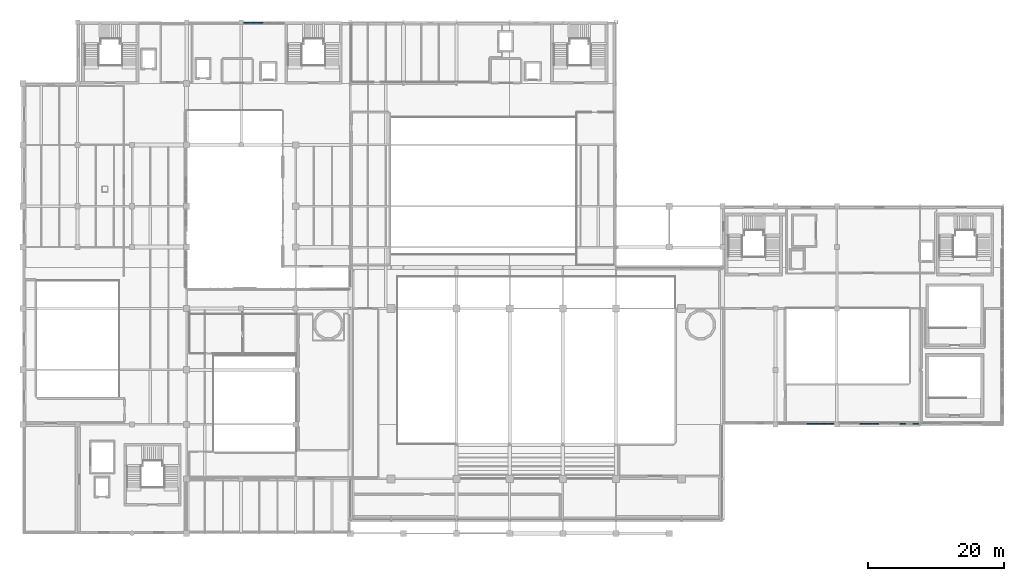
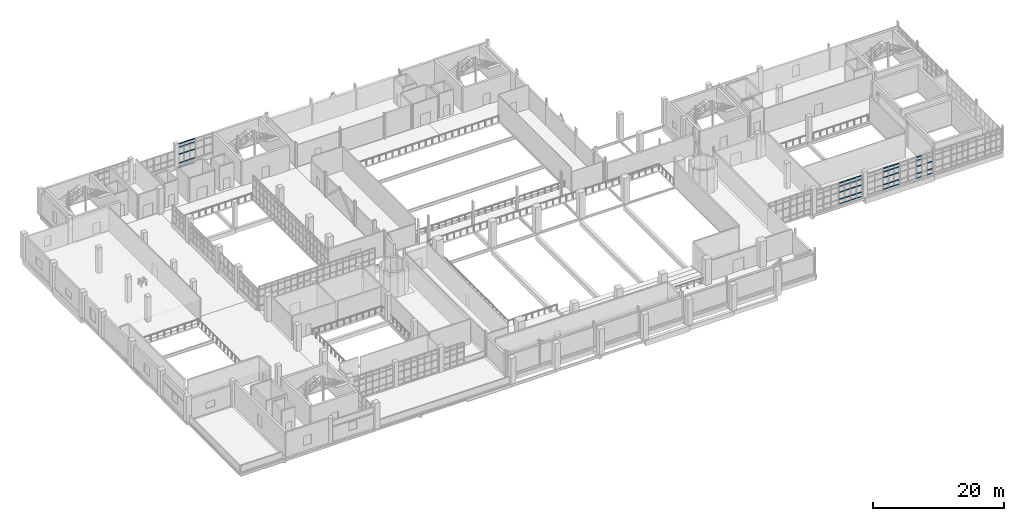
# One storey, part 63 of 102: 58 members, 4 elements without a shape of their own.
"""IFC4 building model written with IfcOpenShell, lengths in metres."""

from ifc_helpers import new_model, si_unit, derived_unit, direction, frame, origin, origin_2d, place, context, subcontext, project, spatial, hollow_rectangle, extrude, material, layer, layer_set, material_profile, profile_set, type_object, element, aggregate, save


model = new_model("IFC4")

# Units and contexts
model_context = context("Model", 3, precision=1e-05, world=origin(), true_north=direction((0.0, 1.0)))
body_context = subcontext(model_context, "Body", "Model", "MODEL_VIEW")
ifc_project = project(units=[si_unit("LENGTHUNIT", "METRE"), si_unit("AREAUNIT", "SQUARE_METRE"), si_unit("VOLUMEUNIT", "CUBIC_METRE"), si_unit("PLANEANGLEUNIT", "RADIAN"), si_unit("MASSUNIT", "GRAM", prefix="KILO"), derived_unit("THERMALTRANSMITTANCEUNIT", [(si_unit("POWERUNIT", "WATT"), 1), (si_unit("LENGTHUNIT", "METRE"), -2), (si_unit("THERMODYNAMICTEMPERATUREUNIT", "KELVIN"), -1)])], contexts=[model_context])

# Site, building, storey
site_placement = place(None, origin())
site = spatial("IfcSite", under=ifc_project, at=site_placement, CompositionType="ELEMENT")
building_placement = place(site_placement, origin())
building = spatial("IfcBuilding", under=site, at=building_placement, Name="Nallur Shell Playhouse", CompositionType="ELEMENT")
storey_placement = place(building_placement, frame((0.0, 0.0, 15.0)))
storey = spatial("IfcBuildingStorey", under=building, at=storey_placement, Name="L04", CompositionType="ELEMENT", Elevation=15.0)

# Curtain wall, members
ifc_material_1 = material(Name="Anodised Aluminium Double-Glazed Facade System", Category="aluminium")
ifc_layer_1 = layer(ifc_material_1, 0.159912109375)
ifc_layer_set_1 = layer_set([ifc_layer_1], Name="Anodised Aluminium Double-Glazed Facade System")
curtain_wall_type_1 = type_object("IfcCurtainWallType", Name="CW-UNIT-12", PredefinedType="NOTDEFINED", material=ifc_layer_set_1)
curtain_wall_1_placement = place(storey_placement, origin())
curtain_wall_1 = element("IfcCurtainWall", 1, at=curtain_wall_1_placement, inside=storey, type_object=curtain_wall_type_1, Name="Unitised curtain wall CW-108 (L04)", PredefinedType="NOTDEFINED")
ifc_material_2 = material(Name="Aluminium Alloy 6063-T6 Transom", Category="aluminium")
ifc_material_profile = material_profile(ifc_material_2, hollow_rectangle(XDim=0.10009765625, YDim=0.199951171875, WallThickness=0.008056640625, at=origin_2d()), Name="RHS 200x100x8")
ifc_profile_set = profile_set([ifc_material_profile], Name="Aluminium Alloy 6063-T6 Transom")
member_type = type_object("IfcMemberType", Name="MB-CW-TRN140", PredefinedType="USERDEFINED", material=ifc_profile_set)
member_1_placement = place(storey_placement, frame((48.39990234375, 82.909912109375, 0.050048828125), z_axis=(1.0, 0.0, 0.0), x_axis=(0.0, 1.0, 0.0)))
member_1 = element("IfcMember", 2, at=member_1_placement, type_object=member_type, Name="CW-12 transom 1.1", ObjectType="TRANSOM", PredefinedType="USERDEFINED", context=body_context, shape_type="SweptSolid", body=[
    extrude(hollow_rectangle(XDim=0.10009765625, YDim=0.199951171875, WallThickness=0.008056640625, at=origin_2d()), origin(), (0.0, 0.0, 1.0), 0.90478515625),
])
member_2_placement = place(storey_placement, frame((48.39990234375, 82.909912109375, 0.89990234375), z_axis=(1.0, 0.0, 0.0), x_axis=(0.0, 1.0, 0.0)))
member_2 = element("IfcMember", 3, at=member_2_placement, type_object=member_type, Name="CW-12 transom 1.2", ObjectType="TRANSOM", PredefinedType="USERDEFINED", context=body_context, shape_type="SweptSolid", body=[
    extrude(hollow_rectangle(XDim=0.10009765625, YDim=0.199951171875, WallThickness=0.008056640625, at=origin_2d()), origin(), (0.0, 0.0, 1.0), 0.90478515625),
])
member_3_placement = place(storey_placement, frame((48.39990234375, 82.909912109375, 2.548095703125), z_axis=(1.0, 0.0, 0.0), x_axis=(0.0, 1.0, 0.0)))
member_3 = element("IfcMember", 4, at=member_3_placement, type_object=member_type, Name="CW-12 transom 1.3", ObjectType="TRANSOM", PredefinedType="USERDEFINED", context=body_context, shape_type="SweptSolid", body=[
    extrude(hollow_rectangle(XDim=0.10009765625, YDim=0.199951171875, WallThickness=0.008056640625, at=origin_2d()), origin(), (0.0, 0.0, 1.0), 0.90478515625),
])
member_4_placement = place(storey_placement, frame((48.39990234375, 82.909912109375, 3.8701171875), z_axis=(1.0, 0.0, 0.0), x_axis=(0.0, 1.0, 0.0)))
member_4 = element("IfcMember", 5, at=member_4_placement, type_object=member_type, Name="CW-12 transom 1.4", ObjectType="TRANSOM", PredefinedType="USERDEFINED", context=body_context, shape_type="SweptSolid", body=[
    extrude(hollow_rectangle(XDim=0.10009765625, YDim=0.199951171875, WallThickness=0.008056640625, at=origin_2d()), origin(), (0.0, 0.0, 1.0), 0.90478515625),
])
member_5_placement = place(storey_placement, frame((48.39990234375, 82.909912109375, 4.5), z_axis=(1.0, 0.0, 0.0), x_axis=(0.0, 1.0, 0.0)))
member_5 = element("IfcMember", 6, at=member_5_placement, type_object=member_type, Name="CW-12 transom 1.5", ObjectType="TRANSOM", PredefinedType="USERDEFINED", context=body_context, shape_type="SweptSolid", body=[
    extrude(hollow_rectangle(XDim=0.10009765625, YDim=0.199951171875, WallThickness=0.008056640625, at=origin_2d()), origin(), (0.0, 0.0, 1.0), 0.90478515625),
])
member_6_placement = place(storey_placement, frame((49.36376953125, 82.909912109375, 0.050048828125), z_axis=(1.0, 0.0, 0.0), x_axis=(0.0, 1.0, 0.0)))
member_6 = element("IfcMember", 7, at=member_6_placement, type_object=member_type, Name="CW-12 transom 2.1", ObjectType="TRANSOM", PredefinedType="USERDEFINED", context=body_context, shape_type="SweptSolid", body=[
    extrude(hollow_rectangle(XDim=0.10009765625, YDim=0.199951171875, WallThickness=0.008056640625, at=origin_2d()), origin(), (0.0, 0.0, 1.0), 0.942138671875),
])
member_7_placement = place(storey_placement, frame((49.36376953125, 82.909912109375, 0.89990234375), z_axis=(1.0, 0.0, 0.0), x_axis=(0.0, 1.0, 0.0)))
member_7 = element("IfcMember", 8, at=member_7_placement, type_object=member_type, Name="CW-12 transom 2.2", ObjectType="TRANSOM", PredefinedType="USERDEFINED", context=body_context, shape_type="SweptSolid", body=[
    extrude(hollow_rectangle(XDim=0.10009765625, YDim=0.199951171875, WallThickness=0.008056640625, at=origin_2d()), origin(), (0.0, 0.0, 1.0), 0.942138671875),
])
member_8_placement = place(storey_placement, frame((49.36376953125, 82.909912109375, 2.548095703125), z_axis=(1.0, 0.0, 0.0), x_axis=(0.0, 1.0, 0.0)))
member_8 = element("IfcMember", 9, at=member_8_placement, type_object=member_type, Name="CW-12 transom 2.3", ObjectType="TRANSOM", PredefinedType="USERDEFINED", context=body_context, shape_type="SweptSolid", body=[
    extrude(hollow_rectangle(XDim=0.10009765625, YDim=0.199951171875, WallThickness=0.008056640625, at=origin_2d()), origin(), (0.0, 0.0, 1.0), 0.942138671875),
])
member_9_placement = place(storey_placement, frame((49.36376953125, 82.909912109375, 3.8701171875), z_axis=(1.0, 0.0, 0.0), x_axis=(0.0, 1.0, 0.0)))
member_9 = element("IfcMember", 10, at=member_9_placement, type_object=member_type, Name="CW-12 transom 2.4", ObjectType="TRANSOM", PredefinedType="USERDEFINED", context=body_context, shape_type="SweptSolid", body=[
    extrude(hollow_rectangle(XDim=0.10009765625, YDim=0.199951171875, WallThickness=0.008056640625, at=origin_2d()), origin(), (0.0, 0.0, 1.0), 0.942138671875),
])
member_10_placement = place(storey_placement, frame((49.36376953125, 82.909912109375, 4.5), z_axis=(1.0, 0.0, 0.0), x_axis=(0.0, 1.0, 0.0)))
member_10 = element("IfcMember", 11, at=member_10_placement, type_object=member_type, Name="CW-12 transom 2.5", ObjectType="TRANSOM", PredefinedType="USERDEFINED", context=body_context, shape_type="SweptSolid", body=[
    extrude(hollow_rectangle(XDim=0.10009765625, YDim=0.199951171875, WallThickness=0.008056640625, at=origin_2d()), origin(), (0.0, 0.0, 1.0), 0.942138671875),
])
member_11_placement = place(storey_placement, frame((50.36474609375, 82.909912109375, 0.050048828125), z_axis=(1.0, 0.0, 0.0), x_axis=(0.0, 1.0, 0.0)))
member_11 = element("IfcMember", 12, at=member_11_placement, type_object=member_type, Name="CW-12 transom 3.1", ObjectType="TRANSOM", PredefinedType="USERDEFINED", context=body_context, shape_type="SweptSolid", body=[
    extrude(hollow_rectangle(XDim=0.10009765625, YDim=0.199951171875, WallThickness=0.008056640625, at=origin_2d()), origin(), (0.0, 0.0, 1.0), 0.90478515625),
])
member_12_placement = place(storey_placement, frame((50.36474609375, 82.909912109375, 0.89990234375), z_axis=(1.0, 0.0, 0.0), x_axis=(0.0, 1.0, 0.0)))
member_12 = element("IfcMember", 13, at=member_12_placement, type_object=member_type, Name="CW-12 transom 3.2", ObjectType="TRANSOM", PredefinedType="USERDEFINED", context=body_context, shape_type="SweptSolid", body=[
    extrude(hollow_rectangle(XDim=0.10009765625, YDim=0.199951171875, WallThickness=0.008056640625, at=origin_2d()), origin(), (0.0, 0.0, 1.0), 0.90478515625),
])
member_13_placement = place(storey_placement, frame((50.36474609375, 82.909912109375, 2.548095703125), z_axis=(1.0, 0.0, 0.0), x_axis=(0.0, 1.0, 0.0)))
member_13 = element("IfcMember", 14, at=member_13_placement, type_object=member_type, Name="CW-12 transom 3.3", ObjectType="TRANSOM", PredefinedType="USERDEFINED", context=body_context, shape_type="SweptSolid", body=[
    extrude(hollow_rectangle(XDim=0.10009765625, YDim=0.199951171875, WallThickness=0.008056640625, at=origin_2d()), origin(), (0.0, 0.0, 1.0), 0.90478515625),
])
member_14_placement = place(storey_placement, frame((50.36474609375, 82.909912109375, 3.8701171875), z_axis=(1.0, 0.0, 0.0), x_axis=(0.0, 1.0, 0.0)))
member_14 = element("IfcMember", 15, at=member_14_placement, type_object=member_type, Name="CW-12 transom 3.4", ObjectType="TRANSOM", PredefinedType="USERDEFINED", context=body_context, shape_type="SweptSolid", body=[
    extrude(hollow_rectangle(XDim=0.10009765625, YDim=0.199951171875, WallThickness=0.008056640625, at=origin_2d()), origin(), (0.0, 0.0, 1.0), 0.90478515625),
])
member_15_placement = place(storey_placement, frame((50.36474609375, 82.909912109375, 4.5), z_axis=(1.0, 0.0, 0.0), x_axis=(0.0, 1.0, 0.0)))
member_15 = element("IfcMember", 16, at=member_15_placement, type_object=member_type, Name="CW-12 transom 3.5", ObjectType="TRANSOM", PredefinedType="USERDEFINED", context=body_context, shape_type="SweptSolid", body=[
    extrude(hollow_rectangle(XDim=0.10009765625, YDim=0.199951171875, WallThickness=0.008056640625, at=origin_2d()), origin(), (0.0, 0.0, 1.0), 0.90478515625),
])
aggregate(curtain_wall_1, [member_1, member_2, member_3, member_4, member_5, member_6, member_7, member_8, member_9, member_10, member_11, member_12, member_13, member_14, member_15])

ifc_layer_2 = layer(ifc_material_1, 0.176025390625)
ifc_layer_set_2 = layer_set([ifc_layer_2], Name="Anodised Aluminium Double-Glazed Facade System")
curtain_wall_type_2 = type_object("IfcCurtainWallType", Name="CW-UNIT-28", PredefinedType="NOTDEFINED", material=ifc_layer_set_2)
curtain_wall_2_placement = place(storey_placement, origin())
curtain_wall_2 = element("IfcCurtainWall", 17, at=curtain_wall_2_placement, inside=storey, type_object=curtain_wall_type_2, Name="Unitised curtain wall CW-124 (L04)", PredefinedType="NOTDEFINED")
member_16_placement = place(storey_placement, frame((147.409912109375, 24.090087890625, 0.050048828125), z_axis=(-1.0, 0.0, 0.0), x_axis=(0.0, -1.0, 0.0)))
member_16 = element("IfcMember", 18, at=member_16_placement, type_object=member_type, Name="CW-28 transom 1.1", ObjectType="TRANSOM", PredefinedType="USERDEFINED", context=body_context, shape_type="SweptSolid", body=[
    extrude(hollow_rectangle(XDim=0.10009765625, YDim=0.199951171875, WallThickness=0.008056640625, at=origin_2d()), origin(), (0.0, 0.0, 1.0), 0.890380859375),
])
member_17_placement = place(storey_placement, frame((147.409912109375, 24.090087890625, 0.89990234375), z_axis=(-1.0, 0.0, 0.0), x_axis=(0.0, -1.0, 0.0)))
member_17 = element("IfcMember", 19, at=member_17_placement, type_object=member_type, Name="CW-28 transom 1.2", ObjectType="TRANSOM", PredefinedType="USERDEFINED", context=body_context, shape_type="SweptSolid", body=[
    extrude(hollow_rectangle(XDim=0.10009765625, YDim=0.199951171875, WallThickness=0.008056640625, at=origin_2d()), origin(), (0.0, 0.0, 1.0), 0.890380859375),
])
member_18_placement = place(storey_placement, frame((147.409912109375, 24.090087890625, 2.25390625), z_axis=(-1.0, 0.0, 0.0), x_axis=(0.0, -1.0, 0.0)))
member_18 = element("IfcMember", 20, at=member_18_placement, type_object=member_type, Name="CW-28 transom 1.3", ObjectType="TRANSOM", PredefinedType="USERDEFINED", context=body_context, shape_type="SweptSolid", body=[
    extrude(hollow_rectangle(XDim=0.10009765625, YDim=0.199951171875, WallThickness=0.008056640625, at=origin_2d()), origin(), (0.0, 0.0, 1.0), 0.890380859375),
])
member_19_placement = place(storey_placement, frame((145.49853515625, 24.090087890625, 0.050048828125), z_axis=(-1.0, 0.0, 0.0), x_axis=(0.0, -1.0, 0.0)))
member_19 = element("IfcMember", 21, at=member_19_placement, type_object=member_type, Name="CW-28 transom 3.1", ObjectType="TRANSOM", PredefinedType="USERDEFINED", context=body_context, shape_type="SweptSolid", body=[
    extrude(hollow_rectangle(XDim=0.10009765625, YDim=0.199951171875, WallThickness=0.008056640625, at=origin_2d()), origin(), (0.0, 0.0, 1.0), 0.890625),
])
member_20_placement = place(storey_placement, frame((145.49853515625, 24.090087890625, 0.89990234375), z_axis=(-1.0, 0.0, 0.0), x_axis=(0.0, -1.0, 0.0)))
member_20 = element("IfcMember", 22, at=member_20_placement, type_object=member_type, Name="CW-28 transom 3.2", ObjectType="TRANSOM", PredefinedType="USERDEFINED", context=body_context, shape_type="SweptSolid", body=[
    extrude(hollow_rectangle(XDim=0.10009765625, YDim=0.199951171875, WallThickness=0.008056640625, at=origin_2d()), origin(), (0.0, 0.0, 1.0), 0.890625),
])
member_21_placement = place(storey_placement, frame((145.49853515625, 24.090087890625, 2.25390625), z_axis=(-1.0, 0.0, 0.0), x_axis=(0.0, -1.0, 0.0)))
member_21 = element("IfcMember", 23, at=member_21_placement, type_object=member_type, Name="CW-28 transom 3.3", ObjectType="TRANSOM", PredefinedType="USERDEFINED", context=body_context, shape_type="SweptSolid", body=[
    extrude(hollow_rectangle(XDim=0.10009765625, YDim=0.199951171875, WallThickness=0.008056640625, at=origin_2d()), origin(), (0.0, 0.0, 1.0), 0.890625),
])
member_22_placement = place(storey_placement, frame((145.49853515625, 24.090087890625, 3.344970703125), z_axis=(-1.0, 0.0, 0.0), x_axis=(0.0, -1.0, 0.0)))
member_22 = element("IfcMember", 24, at=member_22_placement, type_object=member_type, Name="CW-28 transom 3.4", ObjectType="TRANSOM", PredefinedType="USERDEFINED", context=body_context, shape_type="SweptSolid", body=[
    extrude(hollow_rectangle(XDim=0.10009765625, YDim=0.199951171875, WallThickness=0.008056640625, at=origin_2d()), origin(), (0.0, 0.0, 1.0), 0.890625),
])
member_23_placement = place(storey_placement, frame((145.49853515625, 24.090087890625, 3.97509765625), z_axis=(-1.0, 0.0, 0.0), x_axis=(0.0, -1.0, 0.0)))
member_23 = element("IfcMember", 25, at=member_23_placement, type_object=member_type, Name="CW-28 transom 3.5", ObjectType="TRANSOM", PredefinedType="USERDEFINED", context=body_context, shape_type="SweptSolid", body=[
    extrude(hollow_rectangle(XDim=0.10009765625, YDim=0.199951171875, WallThickness=0.008056640625, at=origin_2d()), origin(), (0.0, 0.0, 1.0), 0.890625),
])
aggregate(curtain_wall_2, [member_16, member_17, member_18, member_19, member_20, member_21, member_22, member_23])

ifc_layer_3 = layer(ifc_material_1, 0.159912109375)
ifc_layer_set_3 = layer_set([ifc_layer_3], Name="Anodised Aluminium Double-Glazed Facade System")
curtain_wall_type_3 = type_object("IfcCurtainWallType", Name="CW-UNIT-30", PredefinedType="NOTDEFINED", material=ifc_layer_set_3)
curtain_wall_3_placement = place(storey_placement, origin())
curtain_wall_3 = element("IfcCurtainWall", 26, at=curtain_wall_3_placement, inside=storey, type_object=curtain_wall_type_3, Name="Unitised curtain wall CW-126 (L04)", PredefinedType="NOTDEFINED")
member_24_placement = place(storey_placement, frame((141.552978515625, 24.090087890625, 0.050048828125), z_axis=(-1.0, 0.0, 0.0), x_axis=(0.0, -1.0, 0.0)))
member_24 = element("IfcMember", 27, at=member_24_placement, type_object=member_type, Name="CW-30 transom 1.1", ObjectType="TRANSOM", PredefinedType="USERDEFINED", context=body_context, shape_type="SweptSolid", body=[
    extrude(hollow_rectangle(XDim=0.10009765625, YDim=0.199951171875, WallThickness=0.008056640625, at=origin_2d()), origin(), (0.0, 0.0, 1.0), 0.873779296875),
])
member_25_placement = place(storey_placement, frame((141.552978515625, 24.090087890625, 0.89990234375), z_axis=(-1.0, 0.0, 0.0), x_axis=(0.0, -1.0, 0.0)))
member_25 = element("IfcMember", 28, at=member_25_placement, type_object=member_type, Name="CW-30 transom 1.2", ObjectType="TRANSOM", PredefinedType="USERDEFINED", context=body_context, shape_type="SweptSolid", body=[
    extrude(hollow_rectangle(XDim=0.10009765625, YDim=0.199951171875, WallThickness=0.008056640625, at=origin_2d()), origin(), (0.0, 0.0, 1.0), 0.873779296875),
])
member_26_placement = place(storey_placement, frame((141.552978515625, 24.090087890625, 2.23193359375), z_axis=(-1.0, 0.0, 0.0), x_axis=(0.0, -1.0, 0.0)))
member_26 = element("IfcMember", 29, at=member_26_placement, type_object=member_type, Name="CW-30 transom 1.3", ObjectType="TRANSOM", PredefinedType="USERDEFINED", context=body_context, shape_type="SweptSolid", body=[
    extrude(hollow_rectangle(XDim=0.10009765625, YDim=0.199951171875, WallThickness=0.008056640625, at=origin_2d()), origin(), (0.0, 0.0, 1.0), 0.873779296875),
])
member_27_placement = place(storey_placement, frame((141.552978515625, 24.090087890625, 3.304931640625), z_axis=(-1.0, 0.0, 0.0), x_axis=(0.0, -1.0, 0.0)))
member_27 = element("IfcMember", 30, at=member_27_placement, type_object=member_type, Name="CW-30 transom 1.4", ObjectType="TRANSOM", PredefinedType="USERDEFINED", context=body_context, shape_type="SweptSolid", body=[
    extrude(hollow_rectangle(XDim=0.10009765625, YDim=0.199951171875, WallThickness=0.008056640625, at=origin_2d()), origin(), (0.0, 0.0, 1.0), 0.873779296875),
])
member_28_placement = place(storey_placement, frame((141.552978515625, 24.090087890625, 3.93505859375), z_axis=(-1.0, 0.0, 0.0), x_axis=(0.0, -1.0, 0.0)))
member_28 = element("IfcMember", 31, at=member_28_placement, type_object=member_type, Name="CW-30 transom 1.5", ObjectType="TRANSOM", PredefinedType="USERDEFINED", context=body_context, shape_type="SweptSolid", body=[
    extrude(hollow_rectangle(XDim=0.10009765625, YDim=0.199951171875, WallThickness=0.008056640625, at=origin_2d()), origin(), (0.0, 0.0, 1.0), 0.873779296875),
])
member_29_placement = place(storey_placement, frame((140.6201171875, 24.090087890625, 0.050048828125), z_axis=(-1.0, 0.0, 0.0), x_axis=(0.0, -1.0, 0.0)))
member_29 = element("IfcMember", 32, at=member_29_placement, type_object=member_type, Name="CW-30 transom 2.1", ObjectType="TRANSOM", PredefinedType="USERDEFINED", context=body_context, shape_type="SweptSolid", body=[
    extrude(hollow_rectangle(XDim=0.10009765625, YDim=0.199951171875, WallThickness=0.008056640625, at=origin_2d()), origin(), (0.0, 0.0, 1.0), 0.911376953125),
])
member_30_placement = place(storey_placement, frame((140.6201171875, 24.090087890625, 0.89990234375), z_axis=(-1.0, 0.0, 0.0), x_axis=(0.0, -1.0, 0.0)))
member_30 = element("IfcMember", 33, at=member_30_placement, type_object=member_type, Name="CW-30 transom 2.2", ObjectType="TRANSOM", PredefinedType="USERDEFINED", context=body_context, shape_type="SweptSolid", body=[
    extrude(hollow_rectangle(XDim=0.10009765625, YDim=0.199951171875, WallThickness=0.008056640625, at=origin_2d()), origin(), (0.0, 0.0, 1.0), 0.911376953125),
])
member_31_placement = place(storey_placement, frame((140.6201171875, 24.090087890625, 2.23193359375), z_axis=(-1.0, 0.0, 0.0), x_axis=(0.0, -1.0, 0.0)))
member_31 = element("IfcMember", 34, at=member_31_placement, type_object=member_type, Name="CW-30 transom 2.3", ObjectType="TRANSOM", PredefinedType="USERDEFINED", context=body_context, shape_type="SweptSolid", body=[
    extrude(hollow_rectangle(XDim=0.10009765625, YDim=0.199951171875, WallThickness=0.008056640625, at=origin_2d()), origin(), (0.0, 0.0, 1.0), 0.911376953125),
])
member_32_placement = place(storey_placement, frame((140.6201171875, 24.090087890625, 3.304931640625), z_axis=(-1.0, 0.0, 0.0), x_axis=(0.0, -1.0, 0.0)))
member_32 = element("IfcMember", 35, at=member_32_placement, type_object=member_type, Name="CW-30 transom 2.4", ObjectType="TRANSOM", PredefinedType="USERDEFINED", context=body_context, shape_type="SweptSolid", body=[
    extrude(hollow_rectangle(XDim=0.10009765625, YDim=0.199951171875, WallThickness=0.008056640625, at=origin_2d()), origin(), (0.0, 0.0, 1.0), 0.911376953125),
])
member_33_placement = place(storey_placement, frame((140.6201171875, 24.090087890625, 3.93505859375), z_axis=(-1.0, 0.0, 0.0), x_axis=(0.0, -1.0, 0.0)))
member_33 = element("IfcMember", 36, at=member_33_placement, type_object=member_type, Name="CW-30 transom 2.5", ObjectType="TRANSOM", PredefinedType="USERDEFINED", context=body_context, shape_type="SweptSolid", body=[
    extrude(hollow_rectangle(XDim=0.10009765625, YDim=0.199951171875, WallThickness=0.008056640625, at=origin_2d()), origin(), (0.0, 0.0, 1.0), 0.911376953125),
])
member_34_placement = place(storey_placement, frame((139.64990234375, 24.090087890625, 0.050048828125), z_axis=(-1.0, 0.0, 0.0), x_axis=(0.0, -1.0, 0.0)))
member_34 = element("IfcMember", 37, at=member_34_placement, type_object=member_type, Name="CW-30 transom 3.1", ObjectType="TRANSOM", PredefinedType="USERDEFINED", context=body_context, shape_type="SweptSolid", body=[
    extrude(hollow_rectangle(XDim=0.10009765625, YDim=0.199951171875, WallThickness=0.008056640625, at=origin_2d()), origin(), (0.0, 0.0, 1.0), 0.8740234375),
])
member_35_placement = place(storey_placement, frame((139.64990234375, 24.090087890625, 0.89990234375), z_axis=(-1.0, 0.0, 0.0), x_axis=(0.0, -1.0, 0.0)))
member_35 = element("IfcMember", 38, at=member_35_placement, type_object=member_type, Name="CW-30 transom 3.2", ObjectType="TRANSOM", PredefinedType="USERDEFINED", context=body_context, shape_type="SweptSolid", body=[
    extrude(hollow_rectangle(XDim=0.10009765625, YDim=0.199951171875, WallThickness=0.008056640625, at=origin_2d()), origin(), (0.0, 0.0, 1.0), 0.8740234375),
])
member_36_placement = place(storey_placement, frame((139.64990234375, 24.090087890625, 2.23193359375), z_axis=(-1.0, 0.0, 0.0), x_axis=(0.0, -1.0, 0.0)))
member_36 = element("IfcMember", 39, at=member_36_placement, type_object=member_type, Name="CW-30 transom 3.3", ObjectType="TRANSOM", PredefinedType="USERDEFINED", context=body_context, shape_type="SweptSolid", body=[
    extrude(hollow_rectangle(XDim=0.10009765625, YDim=0.199951171875, WallThickness=0.008056640625, at=origin_2d()), origin(), (0.0, 0.0, 1.0), 0.8740234375),
])
member_37_placement = place(storey_placement, frame((139.64990234375, 24.090087890625, 3.304931640625), z_axis=(-1.0, 0.0, 0.0), x_axis=(0.0, -1.0, 0.0)))
member_37 = element("IfcMember", 40, at=member_37_placement, type_object=member_type, Name="CW-30 transom 3.4", ObjectType="TRANSOM", PredefinedType="USERDEFINED", context=body_context, shape_type="SweptSolid", body=[
    extrude(hollow_rectangle(XDim=0.10009765625, YDim=0.199951171875, WallThickness=0.008056640625, at=origin_2d()), origin(), (0.0, 0.0, 1.0), 0.8740234375),
])
member_38_placement = place(storey_placement, frame((139.64990234375, 24.090087890625, 3.93505859375), z_axis=(-1.0, 0.0, 0.0), x_axis=(0.0, -1.0, 0.0)))
member_38 = element("IfcMember", 41, at=member_38_placement, type_object=member_type, Name="CW-30 transom 3.5", ObjectType="TRANSOM", PredefinedType="USERDEFINED", context=body_context, shape_type="SweptSolid", body=[
    extrude(hollow_rectangle(XDim=0.10009765625, YDim=0.199951171875, WallThickness=0.008056640625, at=origin_2d()), origin(), (0.0, 0.0, 1.0), 0.8740234375),
])
aggregate(curtain_wall_3, [member_24, member_25, member_26, member_27, member_28, member_29, member_30, member_31, member_32, member_33, member_34, member_35, member_36, member_37, member_38])

ifc_layer_4 = layer(ifc_material_1, 0.16796875)
ifc_layer_set_4 = layer_set([ifc_layer_4], Name="Anodised Aluminium Double-Glazed Facade System")
curtain_wall_type_4 = type_object("IfcCurtainWallType", Name="CW-UNIT-32", PredefinedType="NOTDEFINED", material=ifc_layer_set_4)
curtain_wall_4_placement = place(storey_placement, origin())
curtain_wall_4 = element("IfcCurtainWall", 42, at=curtain_wall_4_placement, inside=storey, type_object=curtain_wall_type_4, Name="Unitised curtain wall CW-128 (L04)", PredefinedType="NOTDEFINED")
member_39_placement = place(storey_placement, frame((134.945068359375, 24.090087890625, 0.050048828125), z_axis=(-1.0, 0.0, 0.0), x_axis=(0.0, -1.0, 0.0)))
member_39 = element("IfcMember", 43, at=member_39_placement, type_object=member_type, Name="CW-32 transom 1.1", ObjectType="TRANSOM", PredefinedType="USERDEFINED", context=body_context, shape_type="SweptSolid", body=[
    extrude(hollow_rectangle(XDim=0.10009765625, YDim=0.199951171875, WallThickness=0.008056640625, at=origin_2d()), origin(), (0.0, 0.0, 1.0), 0.924072265625),
])
member_40_placement = place(storey_placement, frame((134.945068359375, 24.090087890625, 0.89990234375), z_axis=(-1.0, 0.0, 0.0), x_axis=(0.0, -1.0, 0.0)))
member_40 = element("IfcMember", 44, at=member_40_placement, type_object=member_type, Name="CW-32 transom 1.2", ObjectType="TRANSOM", PredefinedType="USERDEFINED", context=body_context, shape_type="SweptSolid", body=[
    extrude(hollow_rectangle(XDim=0.10009765625, YDim=0.199951171875, WallThickness=0.008056640625, at=origin_2d()), origin(), (0.0, 0.0, 1.0), 0.924072265625),
])
member_41_placement = place(storey_placement, frame((134.945068359375, 24.090087890625, 2.22607421875), z_axis=(-1.0, 0.0, 0.0), x_axis=(0.0, -1.0, 0.0)))
member_41 = element("IfcMember", 45, at=member_41_placement, type_object=member_type, Name="CW-32 transom 1.3", ObjectType="TRANSOM", PredefinedType="USERDEFINED", context=body_context, shape_type="SweptSolid", body=[
    extrude(hollow_rectangle(XDim=0.10009765625, YDim=0.199951171875, WallThickness=0.008056640625, at=origin_2d()), origin(), (0.0, 0.0, 1.0), 0.924072265625),
])
member_42_placement = place(storey_placement, frame((134.945068359375, 24.090087890625, 3.294921875), z_axis=(-1.0, 0.0, 0.0), x_axis=(0.0, -1.0, 0.0)))
member_42 = element("IfcMember", 46, at=member_42_placement, type_object=member_type, Name="CW-32 transom 1.4", ObjectType="TRANSOM", PredefinedType="USERDEFINED", context=body_context, shape_type="SweptSolid", body=[
    extrude(hollow_rectangle(XDim=0.10009765625, YDim=0.199951171875, WallThickness=0.008056640625, at=origin_2d()), origin(), (0.0, 0.0, 1.0), 0.924072265625),
])
member_43_placement = place(storey_placement, frame((134.945068359375, 24.090087890625, 3.925048828125), z_axis=(-1.0, 0.0, 0.0), x_axis=(0.0, -1.0, 0.0)))
member_43 = element("IfcMember", 47, at=member_43_placement, type_object=member_type, Name="CW-32 transom 1.5", ObjectType="TRANSOM", PredefinedType="USERDEFINED", context=body_context, shape_type="SweptSolid", body=[
    extrude(hollow_rectangle(XDim=0.10009765625, YDim=0.199951171875, WallThickness=0.008056640625, at=origin_2d()), origin(), (0.0, 0.0, 1.0), 0.924072265625),
])
member_44_placement = place(storey_placement, frame((133.95703125, 24.090087890625, 0.050048828125), z_axis=(-1.0, 0.0, 0.0), x_axis=(0.0, -1.0, 0.0)))
member_44 = element("IfcMember", 48, at=member_44_placement, type_object=member_type, Name="CW-32 transom 2.1", ObjectType="TRANSOM", PredefinedType="USERDEFINED", context=body_context, shape_type="SweptSolid", body=[
    extrude(hollow_rectangle(XDim=0.10009765625, YDim=0.199951171875, WallThickness=0.008056640625, at=origin_2d()), origin(), (0.0, 0.0, 1.0), 0.964111328125),
])
member_45_placement = place(storey_placement, frame((133.95703125, 24.090087890625, 0.89990234375), z_axis=(-1.0, 0.0, 0.0), x_axis=(0.0, -1.0, 0.0)))
member_45 = element("IfcMember", 49, at=member_45_placement, type_object=member_type, Name="CW-32 transom 2.2", ObjectType="TRANSOM", PredefinedType="USERDEFINED", context=body_context, shape_type="SweptSolid", body=[
    extrude(hollow_rectangle(XDim=0.10009765625, YDim=0.199951171875, WallThickness=0.008056640625, at=origin_2d()), origin(), (0.0, 0.0, 1.0), 0.964111328125),
])
member_46_placement = place(storey_placement, frame((133.95703125, 24.090087890625, 2.22607421875), z_axis=(-1.0, 0.0, 0.0), x_axis=(0.0, -1.0, 0.0)))
member_46 = element("IfcMember", 50, at=member_46_placement, type_object=member_type, Name="CW-32 transom 2.3", ObjectType="TRANSOM", PredefinedType="USERDEFINED", context=body_context, shape_type="SweptSolid", body=[
    extrude(hollow_rectangle(XDim=0.10009765625, YDim=0.199951171875, WallThickness=0.008056640625, at=origin_2d()), origin(), (0.0, 0.0, 1.0), 0.964111328125),
])
member_47_placement = place(storey_placement, frame((133.95703125, 24.090087890625, 3.294921875), z_axis=(-1.0, 0.0, 0.0), x_axis=(0.0, -1.0, 0.0)))
member_47 = element("IfcMember", 51, at=member_47_placement, type_object=member_type, Name="CW-32 transom 2.4", ObjectType="TRANSOM", PredefinedType="USERDEFINED", context=body_context, shape_type="SweptSolid", body=[
    extrude(hollow_rectangle(XDim=0.10009765625, YDim=0.199951171875, WallThickness=0.008056640625, at=origin_2d()), origin(), (0.0, 0.0, 1.0), 0.964111328125),
])
member_48_placement = place(storey_placement, frame((133.95703125, 24.090087890625, 3.925048828125), z_axis=(-1.0, 0.0, 0.0), x_axis=(0.0, -1.0, 0.0)))
member_48 = element("IfcMember", 52, at=member_48_placement, type_object=member_type, Name="CW-32 transom 2.5", ObjectType="TRANSOM", PredefinedType="USERDEFINED", context=body_context, shape_type="SweptSolid", body=[
    extrude(hollow_rectangle(XDim=0.10009765625, YDim=0.199951171875, WallThickness=0.008056640625, at=origin_2d()), origin(), (0.0, 0.0, 1.0), 0.964111328125),
])
member_49_placement = place(storey_placement, frame((132.928955078125, 24.090087890625, 0.050048828125), z_axis=(-1.0, 0.0, 0.0), x_axis=(0.0, -1.0, 0.0)))
member_49 = element("IfcMember", 53, at=member_49_placement, type_object=member_type, Name="CW-32 transom 3.1", ObjectType="TRANSOM", PredefinedType="USERDEFINED", context=body_context, shape_type="SweptSolid", body=[
    extrude(hollow_rectangle(XDim=0.10009765625, YDim=0.199951171875, WallThickness=0.008056640625, at=origin_2d()), origin(), (0.0, 0.0, 1.0), 0.9638671875),
])
member_50_placement = place(storey_placement, frame((132.928955078125, 24.090087890625, 0.89990234375), z_axis=(-1.0, 0.0, 0.0), x_axis=(0.0, -1.0, 0.0)))
member_50 = element("IfcMember", 54, at=member_50_placement, type_object=member_type, Name="CW-32 transom 3.2", ObjectType="TRANSOM", PredefinedType="USERDEFINED", context=body_context, shape_type="SweptSolid", body=[
    extrude(hollow_rectangle(XDim=0.10009765625, YDim=0.199951171875, WallThickness=0.008056640625, at=origin_2d()), origin(), (0.0, 0.0, 1.0), 0.9638671875),
])
member_51_placement = place(storey_placement, frame((132.928955078125, 24.090087890625, 2.22607421875), z_axis=(-1.0, 0.0, 0.0), x_axis=(0.0, -1.0, 0.0)))
member_51 = element("IfcMember", 55, at=member_51_placement, type_object=member_type, Name="CW-32 transom 3.3", ObjectType="TRANSOM", PredefinedType="USERDEFINED", context=body_context, shape_type="SweptSolid", body=[
    extrude(hollow_rectangle(XDim=0.10009765625, YDim=0.199951171875, WallThickness=0.008056640625, at=origin_2d()), origin(), (0.0, 0.0, 1.0), 0.9638671875),
])
member_52_placement = place(storey_placement, frame((132.928955078125, 24.090087890625, 3.294921875), z_axis=(-1.0, 0.0, 0.0), x_axis=(0.0, -1.0, 0.0)))
member_52 = element("IfcMember", 56, at=member_52_placement, type_object=member_type, Name="CW-32 transom 3.4", ObjectType="TRANSOM", PredefinedType="USERDEFINED", context=body_context, shape_type="SweptSolid", body=[
    extrude(hollow_rectangle(XDim=0.10009765625, YDim=0.199951171875, WallThickness=0.008056640625, at=origin_2d()), origin(), (0.0, 0.0, 1.0), 0.9638671875),
])
member_53_placement = place(storey_placement, frame((132.928955078125, 24.090087890625, 3.925048828125), z_axis=(-1.0, 0.0, 0.0), x_axis=(0.0, -1.0, 0.0)))
member_53 = element("IfcMember", 57, at=member_53_placement, type_object=member_type, Name="CW-32 transom 3.5", ObjectType="TRANSOM", PredefinedType="USERDEFINED", context=body_context, shape_type="SweptSolid", body=[
    extrude(hollow_rectangle(XDim=0.10009765625, YDim=0.199951171875, WallThickness=0.008056640625, at=origin_2d()), origin(), (0.0, 0.0, 1.0), 0.9638671875),
])
member_54_placement = place(storey_placement, frame((131.90087890625, 24.090087890625, 0.050048828125), z_axis=(-1.0, 0.0, 0.0), x_axis=(0.0, -1.0, 0.0)))
member_54 = element("IfcMember", 58, at=member_54_placement, type_object=member_type, Name="CW-32 transom 4.1", ObjectType="TRANSOM", PredefinedType="USERDEFINED", context=body_context, shape_type="SweptSolid", body=[
    extrude(hollow_rectangle(XDim=0.10009765625, YDim=0.199951171875, WallThickness=0.008056640625, at=origin_2d()), origin(), (0.0, 0.0, 1.0), 0.923828125),
])
member_55_placement = place(storey_placement, frame((131.90087890625, 24.090087890625, 0.89990234375), z_axis=(-1.0, 0.0, 0.0), x_axis=(0.0, -1.0, 0.0)))
member_55 = element("IfcMember", 59, at=member_55_placement, type_object=member_type, Name="CW-32 transom 4.2", ObjectType="TRANSOM", PredefinedType="USERDEFINED", context=body_context, shape_type="SweptSolid", body=[
    extrude(hollow_rectangle(XDim=0.10009765625, YDim=0.199951171875, WallThickness=0.008056640625, at=origin_2d()), origin(), (0.0, 0.0, 1.0), 0.923828125),
])
member_56_placement = place(storey_placement, frame((131.90087890625, 24.090087890625, 2.22607421875), z_axis=(-1.0, 0.0, 0.0), x_axis=(0.0, -1.0, 0.0)))
member_56 = element("IfcMember", 60, at=member_56_placement, type_object=member_type, Name="CW-32 transom 4.3", ObjectType="TRANSOM", PredefinedType="USERDEFINED", context=body_context, shape_type="SweptSolid", body=[
    extrude(hollow_rectangle(XDim=0.10009765625, YDim=0.199951171875, WallThickness=0.008056640625, at=origin_2d()), origin(), (0.0, 0.0, 1.0), 0.923828125),
])
member_57_placement = place(storey_placement, frame((131.90087890625, 24.090087890625, 3.294921875), z_axis=(-1.0, 0.0, 0.0), x_axis=(0.0, -1.0, 0.0)))
member_57 = element("IfcMember", 61, at=member_57_placement, type_object=member_type, Name="CW-32 transom 4.4", ObjectType="TRANSOM", PredefinedType="USERDEFINED", context=body_context, shape_type="SweptSolid", body=[
    extrude(hollow_rectangle(XDim=0.10009765625, YDim=0.199951171875, WallThickness=0.008056640625, at=origin_2d()), origin(), (0.0, 0.0, 1.0), 0.923828125),
])
member_58_placement = place(storey_placement, frame((131.90087890625, 24.090087890625, 3.925048828125), z_axis=(-1.0, 0.0, 0.0), x_axis=(0.0, -1.0, 0.0)))
member_58 = element("IfcMember", 62, at=member_58_placement, type_object=member_type, Name="CW-32 transom 4.5", ObjectType="TRANSOM", PredefinedType="USERDEFINED", context=body_context, shape_type="SweptSolid", body=[
    extrude(hollow_rectangle(XDim=0.10009765625, YDim=0.199951171875, WallThickness=0.008056640625, at=origin_2d()), origin(), (0.0, 0.0, 1.0), 0.923828125),
])
aggregate(curtain_wall_4, [member_39, member_40, member_41, member_42, member_43, member_44, member_45, member_46, member_47, member_48, member_49, member_50, member_51, member_52, member_53, member_54, member_55, member_56, member_57, member_58])

save(model, "model.ifc")
